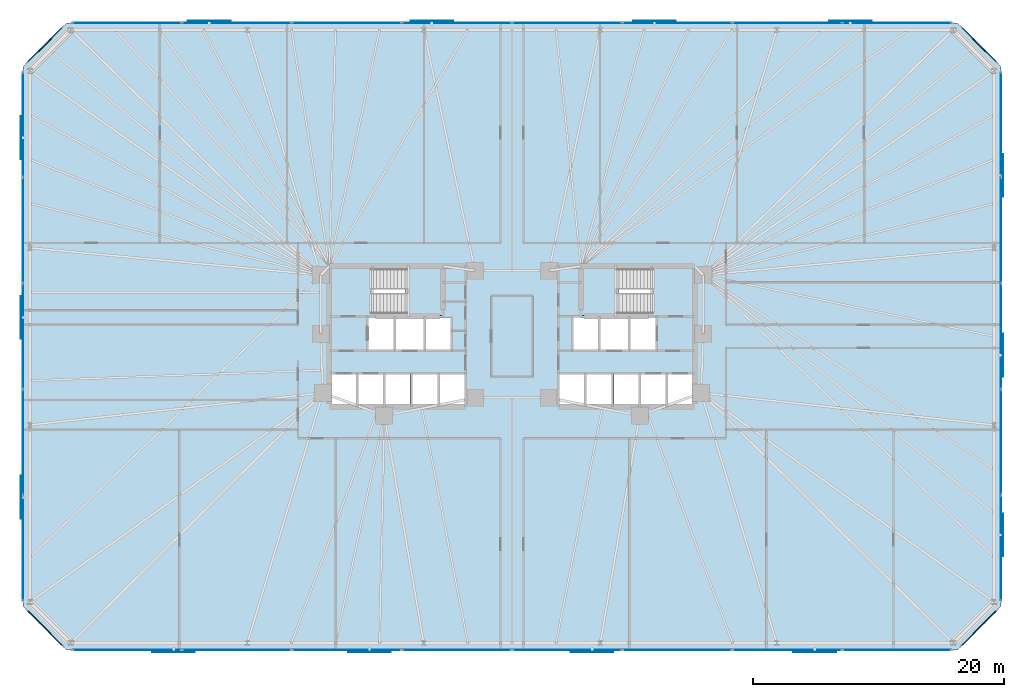
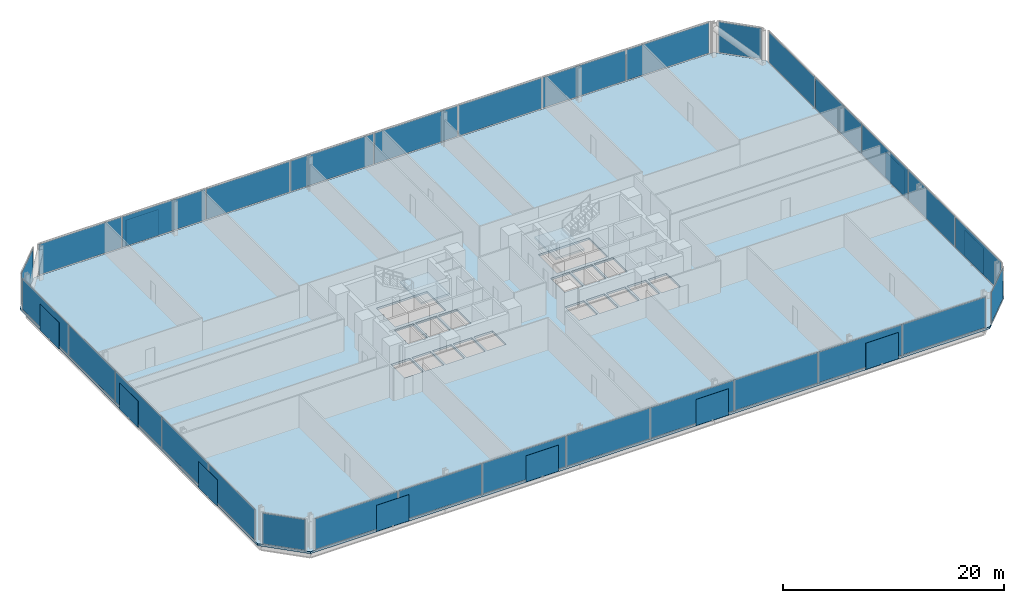
# One storey, part 11 of 17: 44 plates, 3 slabs, 10 elements without a shape of their own.
"""IFC4 building model written with IfcOpenShell, lengths in metres."""

from ifc_helpers import new_model, si_unit, direction, frame, origin, origin_2d, place, context, subcontext, project, spatial, polyline, rectangle, outline, extrude, material, layer, layer_set, type_object, element, aggregate, save


model = new_model("IFC4")

# Units and contexts
model_context = context("Model", 3, precision=1e-05, world=origin(), true_north=direction((0.0, 1.0)))
body_context = subcontext(model_context, "Body", "Model", "MODEL_VIEW")
ifc_project = project(units=[si_unit("LENGTHUNIT", "METRE"), si_unit("AREAUNIT", "SQUARE_METRE"), si_unit("VOLUMEUNIT", "CUBIC_METRE"), si_unit("PLANEANGLEUNIT", "RADIAN"), si_unit("MASSUNIT", "GRAM", prefix="KILO")], contexts=[model_context])

# Site, building, storey
site_placement = place(None, origin())
site = spatial("IfcSite", under=ifc_project, at=site_placement, CompositionType="ELEMENT")
building_placement = place(site_placement, origin())
building = spatial("IfcBuilding", under=site, at=building_placement, Name="Menara Jurai Vektor", CompositionType="ELEMENT")
storey_placement = place(building_placement, frame((0.0, 0.0, 52.199951171875)))
storey = spatial("IfcBuildingStorey", under=building, at=storey_placement, Name="L12", CompositionType="ELEMENT", Elevation=52.199951171875)

# Curtain wall, plates
ifc_material_1 = material(Name="Anodised Pale Aluminium & Low-E Double Glazing", Category="aluminium")
curtain_wall_type = type_object("IfcCurtainWallType", Name="CW-BLK1", PredefinedType="NOTDEFINED", material=ifc_material_1)
curtain_wall_1_placement = place(storey_placement, origin())
curtain_wall_1 = element("IfcCurtainWall", 1, at=curtain_wall_1_placement, inside=storey, type_object=curtain_wall_type, Name="Unitised Curtain Wall L12 F01", PredefinedType="NOTDEFINED")
ifc_material_2 = material(Name="Low-E Solar-Control Double Glazed Unit", Category="glass")
ifc_layer_1 = layer(ifc_material_2, 0.035888671875)
ifc_layer_set_1 = layer_set([ifc_layer_1], Name="Low-E Solar-Control Double Glazed Unit")
plate_type_1 = type_object("IfcPlateType", Name="CW-BLK1-PNL", PredefinedType="CURTAIN_PANEL", material=ifc_layer_set_1)
plate_1_placement = place(storey_placement, frame((-30.706298828125, -25.0, 0.09521484375), z_axis=(0.0, 0.0, 1.0), x_axis=(1.0, 0.0, 0.0)))
plate_1 = element("IfcPlate", 2, at=plate_1_placement, type_object=plate_type_1, Name="CW-01 panel 1.1", PredefinedType="CURTAIN_PANEL", context=body_context, shape_type="SweptSolid", body=[
    extrude(rectangle(XDim=8.637451171875, YDim=0.035888671875, at=origin_2d()), origin(), (0.0, 0.0, 1.0), 3.385009765625),
])
plate_2_placement = place(storey_placement, frame((-21.949951171875, -25.0, 0.09521484375), z_axis=(0.0, 0.0, 1.0), x_axis=(1.0, 0.0, 0.0)))
plate_2 = element("IfcPlate", 3, at=plate_2_placement, type_object=plate_type_1, Name="CW-01 panel 2.1", PredefinedType="CURTAIN_PANEL", context=body_context, shape_type="SweptSolid", body=[
    extrude(rectangle(XDim=8.68505859375, YDim=0.035888671875, at=origin_2d()), origin(), (0.0, 0.0, 1.0), 3.385009765625),
])
plate_3_placement = place(storey_placement, frame((-13.169921875, -25.0, 0.09521484375), z_axis=(0.0, 0.0, 1.0), x_axis=(1.0, 0.0, 0.0)))
plate_3 = element("IfcPlate", 4, at=plate_3_placement, type_object=plate_type_1, Name="CW-01 panel 3.1", PredefinedType="CURTAIN_PANEL", context=body_context, shape_type="SweptSolid", body=[
    extrude(rectangle(XDim=8.68505859375, YDim=0.035888671875, at=origin_2d()), origin(), (0.0, 0.0, 1.0), 3.385009765625),
])
plate_4_placement = place(storey_placement, frame((-4.389892578125, -25.0, 0.09521484375), z_axis=(0.0, 0.0, 1.0), x_axis=(1.0, 0.0, 0.0)))
plate_4 = element("IfcPlate", 5, at=plate_4_placement, type_object=plate_type_1, Name="CW-01 panel 4.1", PredefinedType="CURTAIN_PANEL", context=body_context, shape_type="SweptSolid", body=[
    extrude(rectangle(XDim=8.68505859375, YDim=0.035888671875, at=origin_2d()), origin(), (0.0, 0.0, 1.0), 3.385009765625),
])
plate_5_placement = place(storey_placement, frame((4.389892578125, -25.0, 0.09521484375), z_axis=(0.0, 0.0, 1.0), x_axis=(1.0, 0.0, 0.0)))
plate_5 = element("IfcPlate", 6, at=plate_5_placement, type_object=plate_type_1, Name="CW-01 panel 5.1", PredefinedType="CURTAIN_PANEL", context=body_context, shape_type="SweptSolid", body=[
    extrude(rectangle(XDim=8.68505859375, YDim=0.035888671875, at=origin_2d()), origin(), (0.0, 0.0, 1.0), 3.385009765625),
])
plate_6_placement = place(storey_placement, frame((13.169921875, -25.0, 0.09521484375), z_axis=(0.0, 0.0, 1.0), x_axis=(1.0, 0.0, 0.0)))
plate_6 = element("IfcPlate", 7, at=plate_6_placement, type_object=plate_type_1, Name="CW-01 panel 6.1", PredefinedType="CURTAIN_PANEL", context=body_context, shape_type="SweptSolid", body=[
    extrude(rectangle(XDim=8.68505859375, YDim=0.035888671875, at=origin_2d()), origin(), (0.0, 0.0, 1.0), 3.385009765625),
])
plate_7_placement = place(storey_placement, frame((21.949951171875, -25.0, 0.09521484375), z_axis=(0.0, 0.0, 1.0), x_axis=(1.0, 0.0, 0.0)))
plate_7 = element("IfcPlate", 8, at=plate_7_placement, type_object=plate_type_1, Name="CW-01 panel 7.1", PredefinedType="CURTAIN_PANEL", context=body_context, shape_type="SweptSolid", body=[
    extrude(rectangle(XDim=8.68505859375, YDim=0.035888671875, at=origin_2d()), origin(), (0.0, 0.0, 1.0), 3.385009765625),
])
plate_8_placement = place(storey_placement, frame((30.706298828125, -25.0, 0.09521484375), z_axis=(0.0, 0.0, 1.0), x_axis=(1.0, 0.0, 0.0)))
plate_8 = element("IfcPlate", 9, at=plate_8_placement, type_object=plate_type_1, Name="CW-01 panel 8.1", PredefinedType="CURTAIN_PANEL", context=body_context, shape_type="SweptSolid", body=[
    extrude(rectangle(XDim=8.637451171875, YDim=0.035888671875, at=origin_2d()), origin(), (0.0, 0.0, 1.0), 3.385009765625),
])
aggregate(curtain_wall_1, [plate_1, plate_2, plate_3, plate_4, plate_5, plate_6, plate_7, plate_8])

curtain_wall_2_placement = place(storey_placement, origin())
curtain_wall_2 = element("IfcCurtainWall", 10, at=curtain_wall_2_placement, inside=storey, type_object=curtain_wall_type, Name="Unitised Curtain Wall L12 F03", PredefinedType="NOTDEFINED")
plate_9_placement = place(storey_placement, frame((39.0, -16.872314453125, 0.09521484375), z_axis=(0.0, 0.0, 1.0), x_axis=(0.0, 1.0, 0.0)))
plate_9 = element("IfcPlate", 11, at=plate_9_placement, type_object=plate_type_1, Name="CW-01 panel 1.1", PredefinedType="CURTAIN_PANEL", context=body_context, shape_type="SweptSolid", body=[
    extrude(rectangle(XDim=8.305419921875, YDim=0.035888671875, at=origin_2d()), origin(), (0.0, 0.0, 1.0), 3.385009765625),
])
plate_10_placement = place(storey_placement, frame((39.0, -8.447998046875, 0.09521484375), z_axis=(0.0, 0.0, 1.0), x_axis=(0.0, 1.0, 0.0)))
plate_10 = element("IfcPlate", 12, at=plate_10_placement, type_object=plate_type_1, Name="CW-01 panel 2.1", PredefinedType="CURTAIN_PANEL", context=body_context, shape_type="SweptSolid", body=[
    extrude(rectangle(XDim=8.35302734375, YDim=0.035888671875, at=origin_2d()), origin(), (0.0, 0.0, 1.0), 3.385009765625),
])
plate_11_placement = place(storey_placement, frame((39.0, 0.0, 0.09521484375), z_axis=(0.0, 0.0, 1.0), x_axis=(0.0, 1.0, 0.0)))
plate_11 = element("IfcPlate", 13, at=plate_11_placement, type_object=plate_type_1, Name="CW-01 panel 3.1", PredefinedType="CURTAIN_PANEL", context=body_context, shape_type="SweptSolid", body=[
    extrude(rectangle(XDim=8.35302734375, YDim=0.035888671875, at=origin_2d()), origin(), (0.0, 0.0, 1.0), 3.385009765625),
])
plate_12_placement = place(storey_placement, frame((39.0, 8.447998046875, 0.09521484375), z_axis=(0.0, 0.0, 1.0), x_axis=(0.0, 1.0, 0.0)))
plate_12 = element("IfcPlate", 14, at=plate_12_placement, type_object=plate_type_1, Name="CW-01 panel 4.1", PredefinedType="CURTAIN_PANEL", context=body_context, shape_type="SweptSolid", body=[
    extrude(rectangle(XDim=8.35302734375, YDim=0.035888671875, at=origin_2d()), origin(), (0.0, 0.0, 1.0), 3.385009765625),
])
plate_13_placement = place(storey_placement, frame((39.0, 16.872314453125, 0.09521484375), z_axis=(0.0, 0.0, 1.0), x_axis=(0.0, 1.0, 0.0)))
plate_13 = element("IfcPlate", 15, at=plate_13_placement, type_object=plate_type_1, Name="CW-01 panel 5.1", PredefinedType="CURTAIN_PANEL", context=body_context, shape_type="SweptSolid", body=[
    extrude(rectangle(XDim=8.305419921875, YDim=0.035888671875, at=origin_2d()), origin(), (0.0, 0.0, 1.0), 3.385009765625),
])
aggregate(curtain_wall_2, [plate_9, plate_10, plate_11, plate_12, plate_13])

curtain_wall_3_placement = place(storey_placement, origin())
curtain_wall_3 = element("IfcCurtainWall", 16, at=curtain_wall_3_placement, inside=storey, type_object=curtain_wall_type, Name="Unitised Curtain Wall L12 F05", PredefinedType="NOTDEFINED")
plate_14_placement = place(storey_placement, frame((30.706298828125, 25.0, 0.09521484375), z_axis=(0.0, 0.0, 1.0), x_axis=(-1.0, 0.0, 0.0)))
plate_14 = element("IfcPlate", 17, at=plate_14_placement, type_object=plate_type_1, Name="CW-01 panel 1.1", PredefinedType="CURTAIN_PANEL", context=body_context, shape_type="SweptSolid", body=[
    extrude(rectangle(XDim=8.637451171875, YDim=0.035888671875, at=origin_2d()), origin(), (0.0, 0.0, 1.0), 3.385009765625),
])
plate_15_placement = place(storey_placement, frame((21.949951171875, 25.0, 0.09521484375), z_axis=(0.0, 0.0, 1.0), x_axis=(-1.0, 0.0, 0.0)))
plate_15 = element("IfcPlate", 18, at=plate_15_placement, type_object=plate_type_1, Name="CW-01 panel 2.1", PredefinedType="CURTAIN_PANEL", context=body_context, shape_type="SweptSolid", body=[
    extrude(rectangle(XDim=8.68505859375, YDim=0.035888671875, at=origin_2d()), origin(), (0.0, 0.0, 1.0), 3.385009765625),
])
plate_16_placement = place(storey_placement, frame((13.169921875, 25.0, 0.09521484375), z_axis=(0.0, 0.0, 1.0), x_axis=(-1.0, 0.0, 0.0)))
plate_16 = element("IfcPlate", 19, at=plate_16_placement, type_object=plate_type_1, Name="CW-01 panel 3.1", PredefinedType="CURTAIN_PANEL", context=body_context, shape_type="SweptSolid", body=[
    extrude(rectangle(XDim=8.68505859375, YDim=0.035888671875, at=origin_2d()), origin(), (0.0, 0.0, 1.0), 3.385009765625),
])
plate_17_placement = place(storey_placement, frame((4.389892578125, 25.0, 0.09521484375), z_axis=(0.0, 0.0, 1.0), x_axis=(-1.0, 0.0, 0.0)))
plate_17 = element("IfcPlate", 20, at=plate_17_placement, type_object=plate_type_1, Name="CW-01 panel 4.1", PredefinedType="CURTAIN_PANEL", context=body_context, shape_type="SweptSolid", body=[
    extrude(rectangle(XDim=8.68505859375, YDim=0.035888671875, at=origin_2d()), origin(), (0.0, 0.0, 1.0), 3.385009765625),
])
plate_18_placement = place(storey_placement, frame((-4.389892578125, 25.0, 0.09521484375), z_axis=(0.0, 0.0, 1.0), x_axis=(-1.0, 0.0, 0.0)))
plate_18 = element("IfcPlate", 21, at=plate_18_placement, type_object=plate_type_1, Name="CW-01 panel 5.1", PredefinedType="CURTAIN_PANEL", context=body_context, shape_type="SweptSolid", body=[
    extrude(rectangle(XDim=8.68505859375, YDim=0.035888671875, at=origin_2d()), origin(), (0.0, 0.0, 1.0), 3.385009765625),
])
plate_19_placement = place(storey_placement, frame((-13.169921875, 25.0, 0.09521484375), z_axis=(0.0, 0.0, 1.0), x_axis=(-1.0, 0.0, 0.0)))
plate_19 = element("IfcPlate", 22, at=plate_19_placement, type_object=plate_type_1, Name="CW-01 panel 6.1", PredefinedType="CURTAIN_PANEL", context=body_context, shape_type="SweptSolid", body=[
    extrude(rectangle(XDim=8.68505859375, YDim=0.035888671875, at=origin_2d()), origin(), (0.0, 0.0, 1.0), 3.385009765625),
])
plate_20_placement = place(storey_placement, frame((-21.949951171875, 25.0, 0.09521484375), z_axis=(0.0, 0.0, 1.0), x_axis=(-1.0, 0.0, 0.0)))
plate_20 = element("IfcPlate", 23, at=plate_20_placement, type_object=plate_type_1, Name="CW-01 panel 7.1", PredefinedType="CURTAIN_PANEL", context=body_context, shape_type="SweptSolid", body=[
    extrude(rectangle(XDim=8.68505859375, YDim=0.035888671875, at=origin_2d()), origin(), (0.0, 0.0, 1.0), 3.385009765625),
])
plate_21_placement = place(storey_placement, frame((-30.706298828125, 25.0, 0.09521484375), z_axis=(0.0, 0.0, 1.0), x_axis=(-1.0, 0.0, 0.0)))
plate_21 = element("IfcPlate", 24, at=plate_21_placement, type_object=plate_type_1, Name="CW-01 panel 8.1", PredefinedType="CURTAIN_PANEL", context=body_context, shape_type="SweptSolid", body=[
    extrude(rectangle(XDim=8.637451171875, YDim=0.035888671875, at=origin_2d()), origin(), (0.0, 0.0, 1.0), 3.385009765625),
])
aggregate(curtain_wall_3, [plate_14, plate_15, plate_16, plate_17, plate_18, plate_19, plate_20, plate_21])

curtain_wall_4_placement = place(storey_placement, origin())
curtain_wall_4 = element("IfcCurtainWall", 25, at=curtain_wall_4_placement, inside=storey, type_object=curtain_wall_type, Name="Unitised Curtain Wall L12 F07", PredefinedType="NOTDEFINED")
plate_22_placement = place(storey_placement, frame((-39.0, 16.872314453125, 0.09521484375), z_axis=(0.0, 0.0, 1.0), x_axis=(0.0, -1.0, 0.0)))
plate_22 = element("IfcPlate", 26, at=plate_22_placement, type_object=plate_type_1, Name="CW-01 panel 1.1", PredefinedType="CURTAIN_PANEL", context=body_context, shape_type="SweptSolid", body=[
    extrude(rectangle(XDim=8.305419921875, YDim=0.035888671875, at=origin_2d()), origin(), (0.0, 0.0, 1.0), 3.385009765625),
])
plate_23_placement = place(storey_placement, frame((-39.0, 8.447998046875, 0.09521484375), z_axis=(0.0, 0.0, 1.0), x_axis=(0.0, -1.0, 0.0)))
plate_23 = element("IfcPlate", 27, at=plate_23_placement, type_object=plate_type_1, Name="CW-01 panel 2.1", PredefinedType="CURTAIN_PANEL", context=body_context, shape_type="SweptSolid", body=[
    extrude(rectangle(XDim=8.35302734375, YDim=0.035888671875, at=origin_2d()), origin(), (0.0, 0.0, 1.0), 3.385009765625),
])
plate_24_placement = place(storey_placement, frame((-39.0, 0.0, 0.09521484375), z_axis=(0.0, 0.0, 1.0), x_axis=(0.0, -1.0, 0.0)))
plate_24 = element("IfcPlate", 28, at=plate_24_placement, type_object=plate_type_1, Name="CW-01 panel 3.1", PredefinedType="CURTAIN_PANEL", context=body_context, shape_type="SweptSolid", body=[
    extrude(rectangle(XDim=8.35302734375, YDim=0.035888671875, at=origin_2d()), origin(), (0.0, 0.0, 1.0), 3.385009765625),
])
plate_25_placement = place(storey_placement, frame((-39.0, -8.447998046875, 0.09521484375), z_axis=(0.0, 0.0, 1.0), x_axis=(0.0, -1.0, 0.0)))
plate_25 = element("IfcPlate", 29, at=plate_25_placement, type_object=plate_type_1, Name="CW-01 panel 4.1", PredefinedType="CURTAIN_PANEL", context=body_context, shape_type="SweptSolid", body=[
    extrude(rectangle(XDim=8.35302734375, YDim=0.035888671875, at=origin_2d()), origin(), (0.0, 0.0, 1.0), 3.385009765625),
])
plate_26_placement = place(storey_placement, frame((-39.0, -16.872314453125, 0.09521484375), z_axis=(0.0, 0.0, 1.0), x_axis=(0.0, -1.0, 0.0)))
plate_26 = element("IfcPlate", 30, at=plate_26_placement, type_object=plate_type_1, Name="CW-01 panel 5.1", PredefinedType="CURTAIN_PANEL", context=body_context, shape_type="SweptSolid", body=[
    extrude(rectangle(XDim=8.305419921875, YDim=0.035888671875, at=origin_2d()), origin(), (0.0, 0.0, 1.0), 3.385009765625),
])
aggregate(curtain_wall_4, [plate_22, plate_23, plate_24, plate_25, plate_26])

# Curtain wall, plate
curtain_wall_5_placement = place(storey_placement, origin())
curtain_wall_5 = element("IfcCurtainWall", 31, at=curtain_wall_5_placement, inside=storey, type_object=curtain_wall_type, Name="Unitised Curtain Wall L12 F02", PredefinedType="NOTDEFINED")
ifc_material_3 = material(Name="Insulated Pale Aluminium Spandrel Panel", Category="aluminium")
ifc_layer_2 = layer(ifc_material_3, 0.06005859375)
ifc_layer_set_2 = layer_set([ifc_layer_2], Name="Insulated Pale Aluminium Spandrel Panel")
plate_type_2 = type_object("IfcPlateType", Name="CW-PNL-SP", PredefinedType="CURTAIN_PANEL", material=ifc_layer_set_2)
plate_27_placement = place(storey_placement, frame((37.25, -23.25, 0.09521484375), z_axis=(0.0, 0.0, 1.0), x_axis=(0.707106781187, 0.707106781187, 0.0)))
plate_27 = element("IfcPlate", 32, at=plate_27_placement, type_object=plate_type_2, Name="CW-01 panel 1.1", PredefinedType="CURTAIN_PANEL", context=body_context, shape_type="SweptSolid", body=[
    extrude(rectangle(XDim=3.999755859375, YDim=0.06005859375, at=origin_2d()), origin(), (0.0, 0.0, 1.0), 3.385009765625),
])
aggregate(curtain_wall_5, [plate_27])

curtain_wall_6_placement = place(storey_placement, origin())
curtain_wall_6 = element("IfcCurtainWall", 33, at=curtain_wall_6_placement, inside=storey, type_object=curtain_wall_type, Name="Unitised Curtain Wall L12 F04", PredefinedType="NOTDEFINED")
plate_28_placement = place(storey_placement, frame((37.25, 23.25, 0.09521484375), z_axis=(0.0, 0.0, 1.0), x_axis=(-0.707106781187, 0.707106781187, 0.0)))
plate_28 = element("IfcPlate", 34, at=plate_28_placement, type_object=plate_type_2, Name="CW-01 panel 1.1", PredefinedType="CURTAIN_PANEL", context=body_context, shape_type="SweptSolid", body=[
    extrude(rectangle(XDim=3.999755859375, YDim=0.06005859375, at=origin_2d()), origin(), (0.0, 0.0, 1.0), 3.385009765625),
])
aggregate(curtain_wall_6, [plate_28])

curtain_wall_7_placement = place(storey_placement, origin())
curtain_wall_7 = element("IfcCurtainWall", 35, at=curtain_wall_7_placement, inside=storey, type_object=curtain_wall_type, Name="Unitised Curtain Wall L12 F06", PredefinedType="NOTDEFINED")
plate_29_placement = place(storey_placement, frame((-37.25, 23.25, 0.09521484375), z_axis=(0.0, 0.0, 1.0), x_axis=(-0.707106781187, -0.707106781187, 0.0)))
plate_29 = element("IfcPlate", 36, at=plate_29_placement, type_object=plate_type_2, Name="CW-01 panel 1.1", PredefinedType="CURTAIN_PANEL", context=body_context, shape_type="SweptSolid", body=[
    extrude(rectangle(XDim=3.999755859375, YDim=0.06005859375, at=origin_2d()), origin(), (0.0, 0.0, 1.0), 3.385009765625),
])
aggregate(curtain_wall_7, [plate_29])

curtain_wall_8_placement = place(storey_placement, origin())
curtain_wall_8 = element("IfcCurtainWall", 37, at=curtain_wall_8_placement, inside=storey, type_object=curtain_wall_type, Name="Unitised Curtain Wall L12 F08", PredefinedType="NOTDEFINED")
plate_30_placement = place(storey_placement, frame((-37.25, -23.25, 0.09521484375), z_axis=(0.0, 0.0, 1.0), x_axis=(0.707106781187, -0.707106781187, 0.0)))
plate_30 = element("IfcPlate", 38, at=plate_30_placement, type_object=plate_type_2, Name="CW-01 panel 1.1", PredefinedType="CURTAIN_PANEL", context=body_context, shape_type="SweptSolid", body=[
    extrude(rectangle(XDim=3.999755859375, YDim=0.06005859375, at=origin_2d()), origin(), (0.0, 0.0, 1.0), 3.385009765625),
])
aggregate(curtain_wall_8, [plate_30])

# Plates
ifc_material_4 = material(Name="Anodised Pale Aluminium Perforated Screen", Category="aluminium")
ifc_layer_3 = layer(ifc_material_4, 0.02392578125)
ifc_layer_set_3 = layer_set([ifc_layer_3], Name="Anodised Pale Aluminium Perforated Screen")
plate_type_3 = type_object("IfcPlateType", Name="ENV-PLT-SCREEN", PredefinedType="USERDEFINED", material=ifc_layer_set_3)
for number, where, z_axis, x_axis, name in (
    (39, (-26.97998046875, -25.159912109375, -0.0498046875), (0.0, 0.0, 1.0), (1.0, 0.0, 0.0), "Perforated Pale-Metal Solar Screen L12-S01"),
    (40, (-11.360107421875, -25.159912109375, -0.0498046875), (0.0, 0.0, 1.0), (1.0, 0.0, 0.0), "Perforated Pale-Metal Solar Screen L12-S02"),
    (41, (6.389892578125, -25.159912109375, -0.0498046875), (0.0, 0.0, 1.0), (1.0, 0.0, 0.0), "Perforated Pale-Metal Solar Screen L12-S03"),
    (42, (24.139892578125, -25.159912109375, -0.0498046875), (0.0, 0.0, 1.0), (1.0, 0.0, 0.0), "Perforated Pale-Metal Solar Screen L12-S04"),
    (43, (39.159912109375, -15.83837890625, -0.0498046875), (0.0, 0.0, 1.0), (0.0, 1.0, 0.0), "Perforated Pale-Metal Solar Screen L12-S05"),
    (44, (39.159912109375, -1.5048828125, -0.0498046875), (0.0, 0.0, 1.0), (0.0, 1.0, 0.0), "Perforated Pale-Metal Solar Screen L12-S06"),
    (45, (39.159912109375, 12.828369140625, -0.0498046875), (0.0, 0.0, 1.0), (0.0, 1.0, 0.0), "Perforated Pale-Metal Solar Screen L12-S07"),
    (46, (26.97998046875, 25.159912109375, -0.0498046875), (0.0, 0.0, 1.0), (-1.0, 0.0, 0.0), "Perforated Pale-Metal Solar Screen L12-S08"),
    (47, (11.360107421875, 25.159912109375, -0.0498046875), (0.0, 0.0, 1.0), (-1.0, 0.0, 0.0), "Perforated Pale-Metal Solar Screen L12-S09"),
    (48, (-6.389892578125, 25.159912109375, -0.0498046875), (0.0, 0.0, 1.0), (-1.0, 0.0, 0.0), "Perforated Pale-Metal Solar Screen L12-S10"),
    (49, (-24.139892578125, 25.159912109375, -0.0498046875), (0.0, 0.0, 1.0), (-1.0, 0.0, 0.0), "Perforated Pale-Metal Solar Screen L12-S11"),
    (50, (-39.159912109375, 15.83837890625, -0.0498046875), (0.0, 0.0, 1.0), (0.0, -1.0, 0.0), "Perforated Pale-Metal Solar Screen L12-S12"),
    (51, (-39.159912109375, 1.5048828125, -0.0498046875), (0.0, 0.0, 1.0), (0.0, -1.0, 0.0), "Perforated Pale-Metal Solar Screen L12-S13"),
    (52, (-39.159912109375, -12.828369140625, -0.0498046875), (0.0, 0.0, 1.0), (0.0, -1.0, 0.0), "Perforated Pale-Metal Solar Screen L12-S14"),
):
    element("IfcPlate", number, at=place(storey_placement, frame(where, z_axis=z_axis, x_axis=x_axis)), inside=storey, type_object=plate_type_3, Name=name, ObjectType="SCREEN", PredefinedType="USERDEFINED", context=body_context, shape_type="SweptSolid", body=[
        extrude(rectangle(XDim=3.39990234375, YDim=0.02392578125, at=origin_2d()), origin(), (0.0, 0.0, 1.0), 2.89990234375),
    ])

# Stair, slab
ifc_material_5 = material(Name="Concrete C40/50", Category="concrete")
stair_type = type_object("IfcStairType", Name="STAIR-DOGLEG-1500", PredefinedType="HALF_TURN_STAIR", material=ifc_material_5)
stair_1_placement = place(storey_placement, origin())
stair_1 = element("IfcStair", 53, at=stair_1_placement, inside=storey, type_object=stair_type, Name="Protected Exit Stair ST1 L12", PredefinedType="HALF_TURN_STAIR")
ifc_layer_4 = layer(ifc_material_5, 0.199951171875)
ifc_layer_set_4 = layer_set([ifc_layer_4], Name="Concrete C40/50")
slab_type_1 = type_object("IfcSlabType", Name="STAIR-LANDING-200", PredefinedType="LANDING", material=ifc_layer_set_4)
slab_1_placement = place(storey_placement, frame((0.0, 0.0, 1.699951171875)))
slab_1 = element("IfcSlab", 54, at=slab_1_placement, type_object=slab_type_1, Name="ST1 landing 1", PredefinedType="LANDING", context=body_context, shape_type="SweptSolid", body=[
    extrude(outline(polyline([(-8.52001953125, 1.64990234375), (-5.550048828125, 1.64990234375), (-5.550048828125, 5.550048828125), (-8.52001953125, 5.550048828125), (-8.52001953125, 1.64990234375)])), origin(), (0.0, 0.0, 1.0), 0.2001953125),
])
aggregate(stair_1, [slab_1])

stair_2_placement = place(storey_placement, origin())
stair_2 = element("IfcStair", 55, at=stair_2_placement, inside=storey, type_object=stair_type, Name="Protected Exit Stair ST2 L12", PredefinedType="HALF_TURN_STAIR")
slab_2_placement = place(storey_placement, frame((0.0, 0.0, 1.699951171875)))
slab_2 = element("IfcSlab", 56, at=slab_2_placement, type_object=slab_type_1, Name="ST2 landing 1", PredefinedType="LANDING", context=body_context, shape_type="SweptSolid", body=[
    extrude(outline(polyline([(5.550048828125, 1.64990234375), (8.52001953125, 1.64990234375), (8.52001953125, 5.550048828125), (5.550048828125, 5.550048828125), (5.550048828125, 1.64990234375)])), origin(), (0.0, 0.0, 1.0), 0.2001953125),
])
aggregate(stair_2, [slab_2])

# Slab
ifc_layer_5 = layer(ifc_material_5, 0.22509765625)
ifc_layer_set_5 = layer_set([ifc_layer_5], Name="Concrete C40/50")
slab_type_2 = type_object("IfcSlabType", Name="STR-SLAB-TYP200", PredefinedType="FLOOR", material=ifc_layer_set_5)
slab_3_placement = place(storey_placement, frame((0.0, 0.0, -0.224853515625)))
element("IfcSlab", 57, at=slab_3_placement, inside=storey, type_object=slab_type_2, Name="Composite Floor Slab L12", PredefinedType="FLOOR", context=body_context, shape_type="SweptSolid", body=[
    extrude(outline(polyline([(-35.5, -25.0), (35.5, -25.0), (39.0, -21.5), (39.0, 21.5), (35.5, 25.0), (-35.5, 25.0), (-39.0, 21.5), (-39.0, -21.5), (-35.5, -25.0)]), holes=[polyline([(-11.10009765625, 1.89990234375), (-11.10009765625, 5.300048828125), (-5.800048828125, 5.300048828125), (-5.800048828125, 1.89990234375), (-11.10009765625, 1.89990234375)]), polyline([(5.800048828125, 1.89990234375), (5.800048828125, 5.300048828125), (11.10009765625, 5.300048828125), (11.10009765625, 1.89990234375), (5.800048828125, 1.89990234375)]), polyline([(-11.449951171875, -1.050048828125), (-11.449951171875, 1.5), (-9.449951171875, 1.5), (-9.449951171875, -1.050048828125), (-11.449951171875, -1.050048828125)]), polyline([(9.449951171875, -1.050048828125), (9.449951171875, 1.5), (11.449951171875, 1.5), (11.449951171875, -1.050048828125), (9.449951171875, -1.050048828125)]), polyline([(-5.760009765625, -5.5), (-5.760009765625, -3.050048828125), (-3.800048828125, -3.050048828125), (-3.800048828125, -5.5), (-5.760009765625, -5.5)]), polyline([(-6.85009765625, -1.050048828125), (-6.85009765625, 1.5), (-4.889892578125, 1.5), (-4.889892578125, -1.050048828125), (-6.85009765625, -1.050048828125)]), polyline([(3.800048828125, -5.5), (3.800048828125, -3.050048828125), (5.760009765625, -3.050048828125), (5.760009765625, -5.5), (3.800048828125, -5.5)]), polyline([(4.889892578125, -1.050048828125), (4.889892578125, 1.5), (6.85009765625, 1.5), (6.85009765625, -1.050048828125), (4.889892578125, -1.050048828125)]), polyline([(-14.39990234375, -5.5), (-14.39990234375, -3.050048828125), (-12.43994140625, -3.050048828125), (-12.43994140625, -5.5), (-14.39990234375, -5.5)]), polyline([(-12.239990234375, -5.5), (-12.239990234375, -3.050048828125), (-10.280029296875, -3.050048828125), (-10.280029296875, -5.5), (-12.239990234375, -5.5)]), polyline([(10.280029296875, -5.5), (10.280029296875, -3.050048828125), (12.239990234375, -3.050048828125), (12.239990234375, -5.5), (10.280029296875, -5.5)]), polyline([(12.43994140625, -5.5), (12.43994140625, -3.050048828125), (14.39990234375, -3.050048828125), (14.39990234375, -5.5), (12.43994140625, -5.5)]), polyline([(-10.080078125, -5.5), (-10.080078125, -3.050048828125), (-8.1201171875, -3.050048828125), (-8.1201171875, -5.5), (-10.080078125, -5.5)]), polyline([(-7.919921875, -5.5), (-7.919921875, -3.050048828125), (-5.9599609375, -3.050048828125), (-5.9599609375, -5.5), (-7.919921875, -5.5)]), polyline([(5.9599609375, -5.5), (5.9599609375, -3.050048828125), (7.919921875, -3.050048828125), (7.919921875, -5.5), (5.9599609375, -5.5)]), polyline([(8.1201171875, -5.5), (8.1201171875, -3.050048828125), (10.080078125, -3.050048828125), (10.080078125, -5.5), (8.1201171875, -5.5)]), polyline([(-9.25, -1.050048828125), (-9.25, 1.5), (-7.050048828125, 1.5), (-7.050048828125, -1.050048828125), (-9.25, -1.050048828125)]), polyline([(7.050048828125, -1.050048828125), (7.050048828125, 1.5), (9.25, 1.5), (9.25, -1.050048828125), (7.050048828125, -1.050048828125)])]), origin(), (0.0, 0.0, 1.0), 0.224853515625),
])

save(model, "model.ifc")
